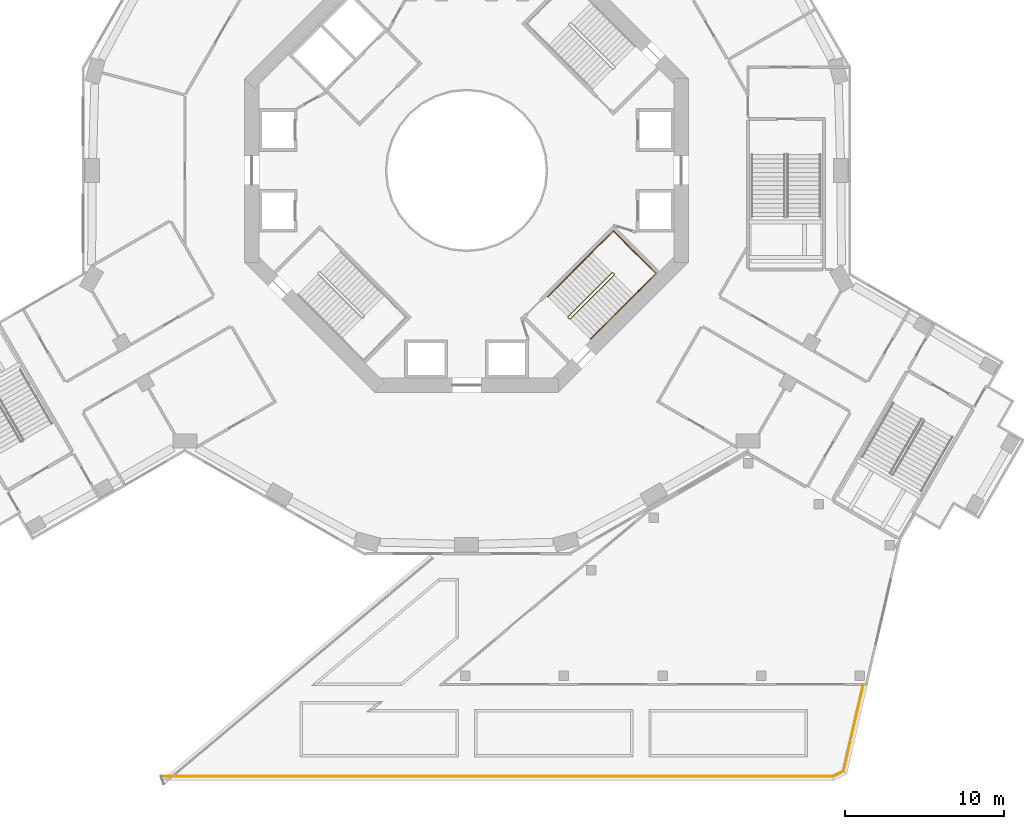
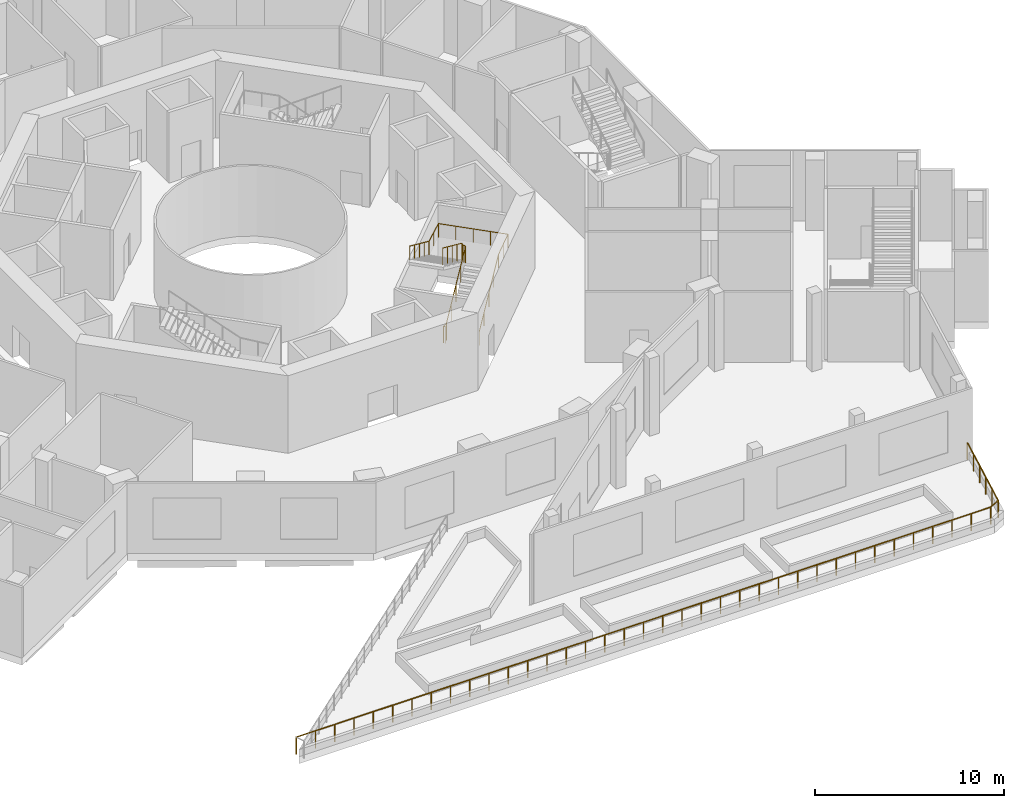
# One storey, part 19 of 24: 5 railings.
"""IFC4 building model written with IfcOpenShell, lengths in metres."""

from ifc_helpers import new_model, si_unit, direction, frame, origin, origin_2d, place, context, subcontext, project, spatial, circle, extrude, material, type_object, element, save


model = new_model("IFC4")

# Units and contexts
model_context = context("Model", 3, precision=1e-05, world=origin(), true_north=direction((0.0, 1.0)))
body_context = subcontext(model_context, "Body", "Model", "MODEL_VIEW")
ifc_project = project(units=[si_unit("LENGTHUNIT", "METRE"), si_unit("AREAUNIT", "SQUARE_METRE"), si_unit("VOLUMEUNIT", "CUBIC_METRE"), si_unit("PLANEANGLEUNIT", "RADIAN"), si_unit("MASSUNIT", "GRAM", prefix="KILO")], contexts=[model_context])

# Site, building, storey
site_placement = place(None, origin())
site = spatial("IfcSite", under=ifc_project, at=site_placement, CompositionType="ELEMENT")
building_placement = place(site_placement, origin())
building = spatial("IfcBuilding", under=site, at=building_placement, Name="Verdalira Terraces Hotel", CompositionType="ELEMENT")
storey_placement = place(building_placement, frame((0.0, 0.0, 14.0)))
storey = spatial("IfcBuildingStorey", under=building, at=storey_placement, Name="L02", CompositionType="ELEMENT", Elevation=14.0)

# Railings
ifc_material_1 = material(Name="Stainless steel", Category="steel")
railing_type_1 = type_object("IfcRailingType", Name="Stair guard 1100", PredefinedType="GUARDRAIL", material=ifc_material_1)
railing_1_placement = place(storey_placement, frame((6.469971, -9.369141, 0.0)))
element("IfcRailing", 1, at=railing_1_placement, inside=storey, type_object=railing_type_1, Name="L02 ST3 stair guard 1", PredefinedType="GUARDRAIL", context=body_context, shape_type="SweptSolid", body=[
    extrude(circle(Radius=0.023926, at=origin_2d()), frame((0.0, 0.0, 1.076172), z_axis=(-0.705884473, 0.70832698, 0.0), x_axis=(-0.70832698, -0.705884473, 0.0)), (0.0, 0.0, 1.0), 0.099854),
    extrude(circle(Radius=0.023926, at=origin_2d()), frame((-0.070557, 0.070801, 1.076172), z_axis=(0.615181649, -0.308122069, 0.725680598), x_axis=(0.447831187, 0.894118129, 0.0)), (0.0, 0.0, 1.0), 0.229736),
    extrude(circle(Radius=0.023926, at=origin_2d()), frame((0.070801, 0.0, 1.242676), z_axis=(0.607609911, 0.607609911, 0.51148841), x_axis=(-0.707106781, 0.707106781, 0.0)), (0.0, 0.0, 1.0), 4.561768),
    extrude(circle(Radius=0.023926, at=origin_2d()), frame((2.842529, 2.771729, 3.576172), z_axis=(0.0, 1.0, 0.0), x_axis=(-1.0, 0.0, 0.0)), (0.0, 0.0, 1.0), 0.070801),
    extrude(circle(Radius=0.023926, at=origin_2d()), frame((2.842529, 2.842529, 3.576172), z_axis=(-0.705884473, 0.70832698, 0.0), x_axis=(-0.70832698, -0.705884473, 0.0)), (0.0, 0.0, 1.0), 0.099854),
    extrude(circle(Radius=0.023926, at=origin_2d()), frame((2.771973, 2.91333, 3.576172), z_axis=(-0.390826706, 0.0, 0.920464277), x_axis=(0.0, -1.0, 0.0)), (0.0, 0.0, 1.0), 0.181152),
    extrude(circle(Radius=0.023926, at=origin_2d()), frame((2.701172, 2.91333, 3.742676), z_axis=(-0.607590152, -0.60764367, 0.511471777), x_axis=(0.707137921, -0.70707564, 0.0)), (0.0, 0.0, 1.0), 4.561768),
    extrude(circle(Radius=0.020996, at=origin_2d()), origin(), (0.0, 0.0, 1.0), 1.052002),
    extrude(circle(Radius=0.020996, at=origin_2d()), frame((-0.070557, 0.070801, 0.0)), (0.0, 0.0, 1.0), 1.052002),
    extrude(circle(Radius=0.020996, at=origin_2d()), frame((0.070801, 0.0, 0.166748)), (0.0, 0.0, 1.0), 1.052002),
    extrude(circle(Radius=0.020996, at=origin_2d()), frame((0.763672, 0.692871, 0.75)), (0.0, 0.0, 1.0), 1.052002),
    extrude(circle(Radius=0.020996, at=origin_2d()), frame((1.456543, 1.385742, 1.333496)), (0.0, 0.0, 1.0), 1.052002),
    extrude(circle(Radius=0.020996, at=origin_2d()), frame((2.149658, 2.078857, 1.916748)), (0.0, 0.0, 1.0), 1.052002),
    extrude(circle(Radius=0.020996, at=origin_2d()), frame((2.842529, 2.771729, 2.5)), (0.0, 0.0, 1.0), 1.052002),
    extrude(circle(Radius=0.020996, at=origin_2d()), frame((2.842529, 2.842529, 2.5)), (0.0, 0.0, 1.0), 1.052002),
    extrude(circle(Radius=0.020996, at=origin_2d()), frame((2.771973, 2.91333, 2.5)), (0.0, 0.0, 1.0), 1.052002),
    extrude(circle(Radius=0.020996, at=origin_2d()), frame((2.701172, 2.91333, 2.666748)), (0.0, 0.0, 1.0), 1.052002),
    extrude(circle(Radius=0.020996, at=origin_2d()), frame((2.008301, 2.220215, 3.25)), (0.0, 0.0, 1.0), 1.052002),
    extrude(circle(Radius=0.020996, at=origin_2d()), frame((1.31543, 1.527344, 3.833496)), (0.0, 0.0, 1.0), 1.052002),
    extrude(circle(Radius=0.020996, at=origin_2d()), frame((0.622314, 0.834473, 4.416748)), (0.0, 0.0, 1.0), 1.052002),
    extrude(circle(Radius=0.020996, at=origin_2d()), frame((-0.070557, 0.141357, 5.0)), (0.0, 0.0, 1.0), 1.052002),
])
ifc_material_2 = material(Name="Stainless steel", Category="steel")
railing_type_2 = type_object("IfcRailingType", Name="Stair handrail 900", PredefinedType="HANDRAIL", material=ifc_material_2)
railing_2_placement = place(storey_placement, frame((7.813477, -10.641846, 0.166748)))
element("IfcRailing", 2, at=railing_2_placement, inside=storey, type_object=railing_type_2, Name="L02 ST3 stair handrail 1", PredefinedType="HANDRAIL", context=body_context, shape_type="SweptSolid", body=[
    extrude(circle(Radius=0.023926, at=origin_2d()), frame((0.0, 0.0, 0.875977), z_axis=(0.60764367, 0.607590152, 0.511471777), x_axis=(-0.70707564, 0.707137921, 0.0)), (0.0, 0.0, 1.0), 4.561768),
    extrude(circle(Radius=0.023926, at=origin_2d()), frame((2.771973, 2.771729, 3.208984), z_axis=(0.707106781, 0.707106781, 0.0), x_axis=(-0.707106781, 0.707106781, 0.0)), (0.0, 0.0, 1.0), 1.929932),
    extrude(circle(Radius=0.023926, at=origin_2d()), frame((4.136719, 4.136475, 3.208984), z_axis=(-0.707106781, 0.707106781, 0.0), x_axis=(-0.707106781, -0.707106781, 0.0)), (0.0, 0.0, 1.0), 3.800049),
    extrude(circle(Radius=0.023926, at=origin_2d()), frame((1.449707, 6.823486, 3.208984), z_axis=(-0.704482443, -0.704482443, 0.086075404), x_axis=(0.707106781, -0.707106781, 0.0)), (0.0, 0.0, 1.0), 1.937256),
    extrude(circle(Radius=0.023926, at=origin_2d()), frame((0.084961, 5.45874, 3.375977), z_axis=(-0.60764367, -0.607590152, 0.511471777), x_axis=(0.70707564, -0.707137921, 0.0)), (0.0, 0.0, 1.0), 4.561768),
    extrude(circle(Radius=0.020996, at=origin_2d()), origin(), (0.0, 0.0, 1.0), 0.851807),
    extrude(circle(Radius=0.020996, at=origin_2d()), frame((0.692871, 0.692871, 0.583252)), (0.0, 0.0, 1.0), 0.851807),
    extrude(circle(Radius=0.020996, at=origin_2d()), frame((1.385986, 1.385742, 1.166504)), (0.0, 0.0, 1.0), 0.851807),
    extrude(circle(Radius=0.020996, at=origin_2d()), frame((2.079102, 2.078857, 1.75)), (0.0, 0.0, 1.0), 0.851807),
    extrude(circle(Radius=0.020996, at=origin_2d()), frame((2.771973, 2.771729, 2.333252)), (0.0, 0.0, 1.0), 0.851807),
    extrude(circle(Radius=0.020996, at=origin_2d()), frame((3.454346, 3.454102, 2.333252)), (0.0, 0.0, 1.0), 0.851807),
    extrude(circle(Radius=0.020996, at=origin_2d()), frame((4.136719, 4.136475, 2.333252)), (0.0, 0.0, 1.0), 0.851807),
    extrude(circle(Radius=0.020996, at=origin_2d()), frame((3.464844, 4.808105, 2.333252)), (0.0, 0.0, 1.0), 0.851807),
    extrude(circle(Radius=0.020996, at=origin_2d()), frame((2.793213, 5.47998, 2.333252)), (0.0, 0.0, 1.0), 0.851807),
    extrude(circle(Radius=0.020996, at=origin_2d()), frame((2.121582, 6.151855, 2.333252)), (0.0, 0.0, 1.0), 0.851807),
    extrude(circle(Radius=0.020996, at=origin_2d()), frame((1.449707, 6.823486, 2.333252)), (0.0, 0.0, 1.0), 0.851807),
    extrude(circle(Radius=0.020996, at=origin_2d()), frame((0.767334, 6.141113, 2.416504)), (0.0, 0.0, 1.0), 0.851807),
    extrude(circle(Radius=0.020996, at=origin_2d()), frame((0.084961, 5.45874, 2.5)), (0.0, 0.0, 1.0), 0.851807),
    extrude(circle(Radius=0.020996, at=origin_2d()), frame((-0.60791, 4.765869, 3.083252)), (0.0, 0.0, 1.0), 0.851807),
    extrude(circle(Radius=0.020996, at=origin_2d()), frame((-1.301025, 4.072754, 3.666504)), (0.0, 0.0, 1.0), 0.851807),
    extrude(circle(Radius=0.020996, at=origin_2d()), frame((-1.994141, 3.379883, 4.25)), (0.0, 0.0, 1.0), 0.851807),
    extrude(circle(Radius=0.020996, at=origin_2d()), frame((-2.687012, 2.687012, 4.833252)), (0.0, 0.0, 1.0), 0.851807),
])
ifc_material_3 = material(Name="Clear laminated glass", Category="glass")
railing_type_3 = type_object("IfcRailingType", Name="Terrace glass guard 1120", PredefinedType="GUARDRAIL", material=ifc_material_3)
railing_3_placement = place(storey_placement, frame((-19.280518, -38.219971, 0.0)))
element("IfcRailing", 3, at=railing_3_placement, inside=storey, type_object=railing_type_3, Name="Terrace guard", PredefinedType="GUARDRAIL", context=body_context, shape_type="SweptSolid", body=[
    extrude(circle(Radius=0.023926, at=origin_2d()), frame((0.0, 0.0, 1.096191), z_axis=(1.0, 0.0, 0.0), x_axis=(0.0, 1.0, 0.0)), (0.0, 0.0, 1.0), 42.374756),
    extrude(circle(Radius=0.020996, at=origin_2d()), origin(), (0.0, 0.0, 1.0), 1.072021),
    extrude(circle(Radius=0.020996, at=origin_2d()), frame((1.177002, 0.0, 0.0)), (0.0, 0.0, 1.0), 1.072021),
    extrude(circle(Radius=0.020996, at=origin_2d()), frame((2.354248, 0.0, 0.0)), (0.0, 0.0, 1.0), 1.072021),
    extrude(circle(Radius=0.020996, at=origin_2d()), frame((3.53125, 0.0, 0.0)), (0.0, 0.0, 1.0), 1.072021),
    extrude(circle(Radius=0.020996, at=origin_2d()), frame((4.708252, 0.0, 0.0)), (0.0, 0.0, 1.0), 1.072021),
    extrude(circle(Radius=0.020996, at=origin_2d()), frame((5.885498, 0.0, 0.0)), (0.0, 0.0, 1.0), 1.072021),
    extrude(circle(Radius=0.020996, at=origin_2d()), frame((7.0625, 0.0, 0.0)), (0.0, 0.0, 1.0), 1.072021),
    extrude(circle(Radius=0.020996, at=origin_2d()), frame((8.239502, 0.0, 0.0)), (0.0, 0.0, 1.0), 1.072021),
    extrude(circle(Radius=0.020996, at=origin_2d()), frame((9.416504, 0.0, 0.0)), (0.0, 0.0, 1.0), 1.072021),
    extrude(circle(Radius=0.020996, at=origin_2d()), frame((10.59375, 0.0, 0.0)), (0.0, 0.0, 1.0), 1.072021),
    extrude(circle(Radius=0.020996, at=origin_2d()), frame((11.770752, 0.0, 0.0)), (0.0, 0.0, 1.0), 1.072021),
    extrude(circle(Radius=0.020996, at=origin_2d()), frame((12.947754, 0.0, 0.0)), (0.0, 0.0, 1.0), 1.072021),
    extrude(circle(Radius=0.020996, at=origin_2d()), frame((14.125, 0.0, 0.0)), (0.0, 0.0, 1.0), 1.072021),
    extrude(circle(Radius=0.020996, at=origin_2d()), frame((15.302002, 0.0, 0.0)), (0.0, 0.0, 1.0), 1.072021),
    extrude(circle(Radius=0.020996, at=origin_2d()), frame((16.479004, 0.0, 0.0)), (0.0, 0.0, 1.0), 1.072021),
    extrude(circle(Radius=0.020996, at=origin_2d()), frame((17.65625, 0.0, 0.0)), (0.0, 0.0, 1.0), 1.072021),
    extrude(circle(Radius=0.020996, at=origin_2d()), frame((18.833252, 0.0, 0.0)), (0.0, 0.0, 1.0), 1.072021),
    extrude(circle(Radius=0.020996, at=origin_2d()), frame((20.010254, 0.0, 0.0)), (0.0, 0.0, 1.0), 1.072021),
    extrude(circle(Radius=0.020996, at=origin_2d()), frame((21.1875, 0.0, 0.0)), (0.0, 0.0, 1.0), 1.072021),
    extrude(circle(Radius=0.020996, at=origin_2d()), frame((22.364502, 0.0, 0.0)), (0.0, 0.0, 1.0), 1.072021),
    extrude(circle(Radius=0.020996, at=origin_2d()), frame((23.541504, 0.0, 0.0)), (0.0, 0.0, 1.0), 1.072021),
    extrude(circle(Radius=0.020996, at=origin_2d()), frame((24.718506, 0.0, 0.0)), (0.0, 0.0, 1.0), 1.072021),
    extrude(circle(Radius=0.020996, at=origin_2d()), frame((25.895752, 0.0, 0.0)), (0.0, 0.0, 1.0), 1.072021),
    extrude(circle(Radius=0.020996, at=origin_2d()), frame((27.072754, 0.0, 0.0)), (0.0, 0.0, 1.0), 1.072021),
    extrude(circle(Radius=0.020996, at=origin_2d()), frame((28.249756, 0.0, 0.0)), (0.0, 0.0, 1.0), 1.072021),
    extrude(circle(Radius=0.020996, at=origin_2d()), frame((29.427002, 0.0, 0.0)), (0.0, 0.0, 1.0), 1.072021),
    extrude(circle(Radius=0.020996, at=origin_2d()), frame((30.604004, 0.0, 0.0)), (0.0, 0.0, 1.0), 1.072021),
    extrude(circle(Radius=0.020996, at=origin_2d()), frame((31.781006, 0.0, 0.0)), (0.0, 0.0, 1.0), 1.072021),
    extrude(circle(Radius=0.020996, at=origin_2d()), frame((32.958252, 0.0, 0.0)), (0.0, 0.0, 1.0), 1.072021),
    extrude(circle(Radius=0.020996, at=origin_2d()), frame((34.135254, 0.0, 0.0)), (0.0, 0.0, 1.0), 1.072021),
    extrude(circle(Radius=0.020996, at=origin_2d()), frame((35.312256, 0.0, 0.0)), (0.0, 0.0, 1.0), 1.072021),
    extrude(circle(Radius=0.020996, at=origin_2d()), frame((36.489258, 0.0, 0.0)), (0.0, 0.0, 1.0), 1.072021),
    extrude(circle(Radius=0.020996, at=origin_2d()), frame((37.666504, 0.0, 0.0)), (0.0, 0.0, 1.0), 1.072021),
    extrude(circle(Radius=0.020996, at=origin_2d()), frame((38.843506, 0.0, 0.0)), (0.0, 0.0, 1.0), 1.072021),
    extrude(circle(Radius=0.020996, at=origin_2d()), frame((40.020508, 0.0, 0.0)), (0.0, 0.0, 1.0), 1.072021),
    extrude(circle(Radius=0.020996, at=origin_2d()), frame((41.197754, 0.0, 0.0)), (0.0, 0.0, 1.0), 1.072021),
    extrude(circle(Radius=0.020996, at=origin_2d()), frame((42.374756, 0.0, 0.0)), (0.0, 0.0, 1.0), 1.072021),
])
railing_4_placement = place(storey_placement, frame((23.094238, -38.219971, 0.0)))
element("IfcRailing", 4, at=railing_4_placement, inside=storey, type_object=railing_type_3, Name="Terrace guard", PredefinedType="GUARDRAIL", context=body_context, shape_type="SweptSolid", body=[
    extrude(circle(Radius=0.023926, at=origin_2d()), frame((0.0, 0.0, 1.096191), z_axis=(0.887784257, 0.460259832, 0.0), x_axis=(-0.460259832, 0.887784257, 0.0)), (0.0, 0.0, 1.0), 0.74585),
    extrude(circle(Radius=0.020996, at=origin_2d()), origin(), (0.0, 0.0, 1.0), 1.072021),
    extrude(circle(Radius=0.020996, at=origin_2d()), frame((0.662109, 0.343262, 0.0)), (0.0, 0.0, 1.0), 1.072021),
])
railing_5_placement = place(storey_placement, frame((23.756348, -37.876709, 0.0)))
element("IfcRailing", 5, at=railing_5_placement, inside=storey, type_object=railing_type_3, Name="Terrace guard", PredefinedType="GUARDRAIL", context=body_context, shape_type="SweptSolid", body=[
    extrude(circle(Radius=0.023926, at=origin_2d()), frame((0.0, 0.0, 1.096191), z_axis=(0.225284232, 0.974293085, 0.0), x_axis=(-0.974293085, 0.225284232, 0.0)), (0.0, 0.0, 1.0), 5.583252),
    extrude(circle(Radius=0.020996, at=origin_2d()), origin(), (0.0, 0.0, 1.0), 1.072021),
    extrude(circle(Radius=0.020996, at=origin_2d()), frame((0.251465, 1.087891, 0.0)), (0.0, 0.0, 1.0), 1.072021),
    extrude(circle(Radius=0.020996, at=origin_2d()), frame((0.503174, 2.175781, 0.0)), (0.0, 0.0, 1.0), 1.072021),
    extrude(circle(Radius=0.020996, at=origin_2d()), frame((0.754639, 3.263916, 0.0)), (0.0, 0.0, 1.0), 1.072021),
    extrude(circle(Radius=0.020996, at=origin_2d()), frame((1.006348, 4.351807, 0.0)), (0.0, 0.0, 1.0), 1.072021),
    extrude(circle(Radius=0.020996, at=origin_2d()), frame((1.257812, 5.439697, 0.0)), (0.0, 0.0, 1.0), 1.072021),
])

save(model, "model.ifc")
